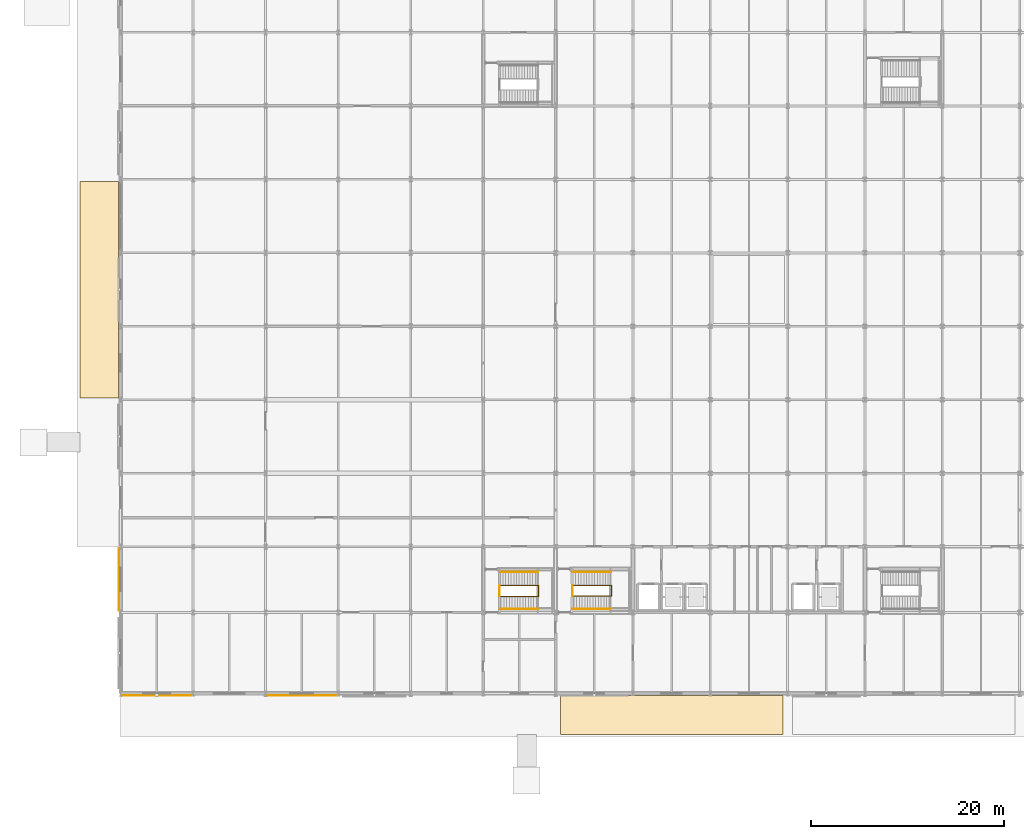
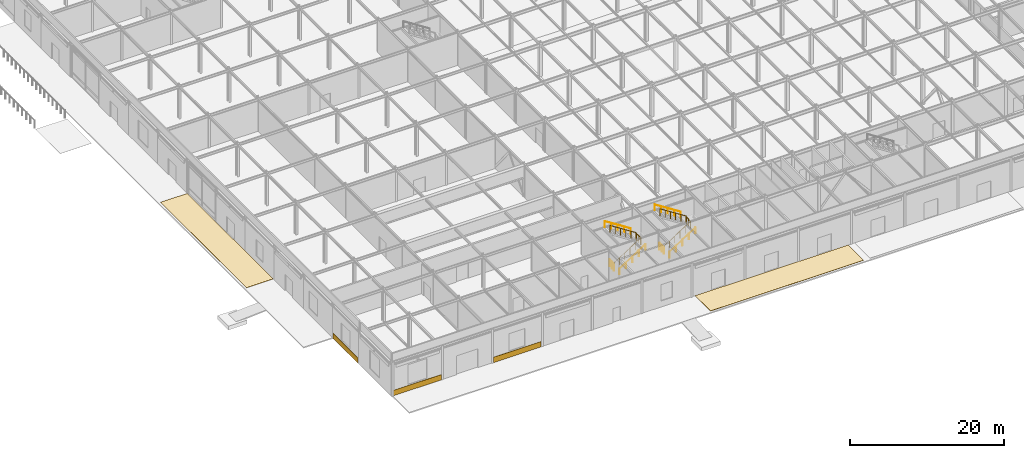
# One storey, part 82 of 89: 8 railings, 5 coverings.
"""IFC4 building model written with IfcOpenShell, lengths in metres."""

from ifc_helpers import new_model, si_unit, direction, frame, origin, origin_2d, place, context, subcontext, project, spatial, polyline, rectangle, circle, outline, extrude, material, layer, layer_set, type_object, element, save


model = new_model("IFC4")

# Units and contexts
model_context = context("Model", 3, precision=1e-05, world=origin(), true_north=direction((0.0, 1.0)))
body_context = subcontext(model_context, "Body", "Model", "MODEL_VIEW")
ifc_project = project(units=[si_unit("LENGTHUNIT", "METRE"), si_unit("AREAUNIT", "SQUARE_METRE"), si_unit("VOLUMEUNIT", "CUBIC_METRE"), si_unit("PLANEANGLEUNIT", "RADIAN"), si_unit("MASSUNIT", "GRAM", prefix="KILO")], contexts=[model_context])

# Site, building, storey
site_placement = place(None, origin())
site = spatial("IfcSite", under=ifc_project, at=site_placement, CompositionType="ELEMENT")
building_placement = place(site_placement, origin())
building = spatial("IfcBuilding", under=site, at=building_placement, Name="Shalkamar Park Central Library", CompositionType="ELEMENT")
storey_placement = place(building_placement, origin())
storey = spatial("IfcBuildingStorey", under=building, at=storey_placement, Name="L01", CompositionType="ELEMENT", Elevation=0.0)

# Coverings
ifc_material_1 = material(Name="Flamed grey granite paving", Category="masonry")
ifc_layer_1 = layer(ifc_material_1, 0.0400390625)
ifc_layer_set_1 = layer_set([ifc_layer_1], Name="FlamedGranitePlazaPaving")
covering_type_1 = type_object("IfcCoveringType", Name="Flamed Granite Plaza Paving", PredefinedType="FLOORING", material=ifc_layer_set_1)
covering_1_placement = place(storey_placement, origin())
element("IfcCovering", 1, at=covering_1_placement, inside=storey, type_object=covering_type_1, Name="Flamed Granite Plaza Paving PAV-S1", PredefinedType="FLOORING", context=body_context, shape_type="SweptSolid", body=[
    extrude(outline(polyline([(165.5, 235.800048828125), (188.5, 235.800048828125), (188.5, 239.800048828125), (165.5, 239.800048828125), (165.5, 235.800048828125)])), origin(), (0.0, 0.0, 1.0), 0.030029296875),
])
covering_2_placement = place(storey_placement, origin())
element("IfcCovering", 2, at=covering_2_placement, inside=storey, type_object=covering_type_1, Name="Flamed Granite Plaza Paving PAV-W1", PredefinedType="FLOORING", context=body_context, shape_type="SweptSolid", body=[
    extrude(outline(polyline([(115.800048828125, 270.60009765625), (119.800048828125, 270.60009765625), (119.800048828125, 293.0), (115.800048828125, 293.0), (115.800048828125, 270.60009765625)])), origin(), (0.0, 0.0, 1.0), 0.030029296875),
])
ifc_material_2 = material(Name="Granite and travertine stone cladding", Category="masonry")
ifc_layer_2 = layer(ifc_material_2, 0.0400390625)
ifc_layer_set_2 = layer_set([ifc_layer_2], Name="GraniteTravertineCladdingPanel")
covering_type_2 = type_object("IfcCoveringType", Name="Granite Travertine Cladding Panel", PredefinedType="CLADDING", material=ifc_layer_set_2)
for number, where, z_axis, x_axis, name in (
    (3, (123.75, 239.823974609375, 0.0), (0.0, 0.0, 1.0), (1.0, 0.0, 0.0), "Granite and Travertine Cladding Panel L01-001"),
    (4, (138.75, 239.823974609375, 0.0), (0.0, 0.0, 1.0), (1.0, 0.0, 0.0), "Granite and Travertine Cladding Panel L01-002"),
):
    element("IfcCovering", number, at=place(storey_placement, frame(where, z_axis=z_axis, x_axis=x_axis)), inside=storey, type_object=covering_type_2, Name=name, PredefinedType="CLADDING", context=body_context, shape_type="SweptSolid", body=[
        extrude(rectangle(XDim=7.18798828125, YDim=0.0400390625, at=origin_2d()), origin(), (0.0, 0.0, 1.0), 0.85009765625),
    ])
covering_3_placement = place(storey_placement, frame((119.823974609375, 251.800048828125, 0.0), z_axis=(0.0, 0.0, 1.0), x_axis=(1.0, 0.0, 0.0)))
element("IfcCovering", 5, at=covering_3_placement, inside=storey, type_object=covering_type_2, Name="Granite and Travertine Cladding Panel L01-004", PredefinedType="CLADDING", context=body_context, shape_type="SweptSolid", body=[
    extrude(rectangle(XDim=0.0400390625, YDim=6.488037109375, at=origin_2d()), origin(), (0.0, 0.0, 1.0), 0.85009765625),
])

# Railings
ifc_material_3 = material(Name="Steel S355", Category="steel")
railing_type_1 = type_object("IfcRailingType", Name="Stair Guardrail 1100", PredefinedType="GUARDRAIL", material=ifc_material_3)
railing_1_placement = place(storey_placement, frame((166.800048828125, 250.090087890625, 0.179931640625)))
element("IfcRailing", 6, at=railing_1_placement, inside=storey, type_object=railing_type_1, Name="Stair Inner Well Guardrail ST-T1-L01", PredefinedType="GUARDRAIL", context=body_context, shape_type="SweptSolid", body=[
    extrude(circle(Radius=0.02392578125, at=origin_2d()), frame((0.0, 0.0, 1.076171875), z_axis=(0.841171666519, 0.0, 0.540768182723), x_axis=(0.0, 1.0, 0.0)), (0.0, 0.0, 1.0), 4.66015625),
    extrude(circle(Radius=0.02392578125, at=origin_2d()), frame((3.919921875, 0.0, 3.59619140625), z_axis=(1.0, 0.0, 0.0), x_axis=(0.0, 1.0, 0.0)), (0.0, 0.0, 1.0), 0.06005859375),
    extrude(circle(Radius=0.02392578125, at=origin_2d()), frame((3.97998046875, 0.0, 3.59619140625), z_axis=(0.0, 1.0, 0.0), x_axis=(-1.0, 0.0, 0.0)), (0.0, 0.0, 1.0), 1.119873046875),
    extrude(circle(Radius=0.02392578125, at=origin_2d()), frame((3.97998046875, 1.119873046875, 3.59619140625), z_axis=(-0.316613854282, 0.0, 0.948554514657), x_axis=(0.0, -1.0, 0.0)), (0.0, 0.0, 1.0), 0.189697265625),
    extrude(circle(Radius=0.02392578125, at=origin_2d()), frame((3.919921875, 1.119873046875, 3.77587890625), z_axis=(-0.841171666519, 0.0, 0.540768182723), x_axis=(0.0, -1.0, 0.0)), (0.0, 0.0, 1.0), 4.66015625),
    extrude(circle(Radius=0.02099609375, at=origin_2d()), origin(), (0.0, 0.0, 1.0), 1.052001953125),
    extrude(circle(Radius=0.02099609375, at=origin_2d()), frame((0.783935546875, 0.0, 0.50390625)), (0.0, 0.0, 1.0), 1.052001953125),
    extrude(circle(Radius=0.02099609375, at=origin_2d()), frame((1.56787109375, 0.0, 1.008056640625)), (0.0, 0.0, 1.0), 1.052001953125),
    extrude(circle(Radius=0.02099609375, at=origin_2d()), frame((2.35205078125, 0.0, 1.511962890625)), (0.0, 0.0, 1.0), 1.052001953125),
    extrude(circle(Radius=0.02099609375, at=origin_2d()), frame((3.135986328125, 0.0, 2.01611328125)), (0.0, 0.0, 1.0), 1.052001953125),
    extrude(circle(Radius=0.02099609375, at=origin_2d()), frame((3.919921875, 0.0, 2.52001953125)), (0.0, 0.0, 1.0), 1.052001953125),
    extrude(circle(Radius=0.02099609375, at=origin_2d()), frame((3.97998046875, 0.0, 2.52001953125)), (0.0, 0.0, 1.0), 1.052001953125),
    extrude(circle(Radius=0.02099609375, at=origin_2d()), frame((3.97998046875, 0.56005859375, 2.52001953125)), (0.0, 0.0, 1.0), 1.052001953125),
    extrude(circle(Radius=0.02099609375, at=origin_2d()), frame((3.97998046875, 1.119873046875, 2.52001953125)), (0.0, 0.0, 1.0), 1.052001953125),
    extrude(circle(Radius=0.02099609375, at=origin_2d()), frame((3.919921875, 1.119873046875, 2.699951171875)), (0.0, 0.0, 1.0), 1.052001953125),
    extrude(circle(Radius=0.02099609375, at=origin_2d()), frame((3.135986328125, 1.119873046875, 3.203857421875)), (0.0, 0.0, 1.0), 1.052001953125),
    extrude(circle(Radius=0.02099609375, at=origin_2d()), frame((2.35205078125, 1.119873046875, 3.7080078125)), (0.0, 0.0, 1.0), 1.052001953125),
    extrude(circle(Radius=0.02099609375, at=origin_2d()), frame((1.56787109375, 1.119873046875, 4.2119140625)), (0.0, 0.0, 1.0), 1.052001953125),
    extrude(circle(Radius=0.02099609375, at=origin_2d()), frame((0.783935546875, 1.119873046875, 4.716064453125)), (0.0, 0.0, 1.0), 1.052001953125),
    extrude(circle(Radius=0.02099609375, at=origin_2d()), frame((0.0, 1.119873046875, 5.219970703125)), (0.0, 0.0, 1.0), 1.052001953125),
])
railing_2_placement = place(storey_placement, frame((166.739990234375, 250.10009765625, 0.0)))
element("IfcRailing", 7, at=railing_2_placement, inside=storey, type_object=railing_type_1, Name="Stair Arrival Well Guardrail ST-T1 (L01)", PredefinedType="GUARDRAIL", context=body_context, shape_type="SweptSolid", body=[
    extrude(circle(Radius=0.02392578125, at=origin_2d()), frame((0.0, 0.0, 1.076171875), z_axis=(0.0, 1.0, 0.0), x_axis=(-1.0, 0.0, 0.0)), (0.0, 0.0, 1.0), 1.099853515625),
    extrude(circle(Radius=0.02099609375, at=origin_2d()), origin(), (0.0, 0.0, 1.0), 1.052001953125),
    extrude(circle(Radius=0.02099609375, at=origin_2d()), frame((0.0, 0.5498046875, 0.0)), (0.0, 0.0, 1.0), 1.052001953125),
    extrude(circle(Radius=0.02099609375, at=origin_2d()), frame((0.0, 1.099853515625, 0.0)), (0.0, 0.0, 1.0), 1.052001953125),
])
railing_3_placement = place(storey_placement, frame((159.27490234375, 250.06494140625, 0.179931640625)))
element("IfcRailing", 8, at=railing_3_placement, inside=storey, type_object=railing_type_1, Name="Stair Inner Well Guardrail ST-P1-L01", PredefinedType="GUARDRAIL", context=body_context, shape_type="SweptSolid", body=[
    extrude(circle(Radius=0.02392578125, at=origin_2d()), frame((0.0, 0.0, 1.076171875), z_axis=(0.841186985886, 0.0, 0.540744352514), x_axis=(0.0, 1.0, 0.0)), (0.0, 0.0, 1.0), 4.660400390625),
    extrude(circle(Radius=0.02392578125, at=origin_2d()), frame((3.920166015625, 0.0, 3.59619140625), z_axis=(1.0, 0.0, 0.0), x_axis=(0.0, 1.0, 0.0)), (0.0, 0.0, 1.0), 0.059814453125),
    extrude(circle(Radius=0.02392578125, at=origin_2d()), frame((3.97998046875, 0.0, 3.59619140625), z_axis=(0.0, 1.0, 0.0), x_axis=(-1.0, 0.0, 0.0)), (0.0, 0.0, 1.0), 1.1201171875),
    extrude(circle(Radius=0.02392578125, at=origin_2d()), frame((3.97998046875, 1.1201171875, 3.59619140625), z_axis=(-0.31545511802, 0.0, 0.948940497879), x_axis=(0.0, -1.0, 0.0)), (0.0, 0.0, 1.0), 0.189697265625),
    extrude(circle(Radius=0.02392578125, at=origin_2d()), frame((3.920166015625, 1.1201171875, 3.77587890625), z_axis=(-0.841186985886, 0.0, 0.540744352514), x_axis=(0.0, -1.0, 0.0)), (0.0, 0.0, 1.0), 4.660400390625),
    extrude(circle(Radius=0.02099609375, at=origin_2d()), origin(), (0.0, 0.0, 1.0), 1.052001953125),
    extrude(circle(Radius=0.02099609375, at=origin_2d()), frame((0.783935546875, 0.0, 0.50390625)), (0.0, 0.0, 1.0), 1.052001953125),
    extrude(circle(Radius=0.02099609375, at=origin_2d()), frame((1.568115234375, 0.0, 1.008056640625)), (0.0, 0.0, 1.0), 1.052001953125),
    extrude(circle(Radius=0.02099609375, at=origin_2d()), frame((2.35205078125, 0.0, 1.511962890625)), (0.0, 0.0, 1.0), 1.052001953125),
    extrude(circle(Radius=0.02099609375, at=origin_2d()), frame((3.13623046875, 0.0, 2.01611328125)), (0.0, 0.0, 1.0), 1.052001953125),
    extrude(circle(Radius=0.02099609375, at=origin_2d()), frame((3.920166015625, 0.0, 2.52001953125)), (0.0, 0.0, 1.0), 1.052001953125),
    extrude(circle(Radius=0.02099609375, at=origin_2d()), frame((3.97998046875, 0.0, 2.52001953125)), (0.0, 0.0, 1.0), 1.052001953125),
    extrude(circle(Radius=0.02099609375, at=origin_2d()), frame((3.97998046875, 0.56005859375, 2.52001953125)), (0.0, 0.0, 1.0), 1.052001953125),
    extrude(circle(Radius=0.02099609375, at=origin_2d()), frame((3.97998046875, 1.1201171875, 2.52001953125)), (0.0, 0.0, 1.0), 1.052001953125),
    extrude(circle(Radius=0.02099609375, at=origin_2d()), frame((3.920166015625, 1.1201171875, 2.699951171875)), (0.0, 0.0, 1.0), 1.052001953125),
    extrude(circle(Radius=0.02099609375, at=origin_2d()), frame((3.13623046875, 1.1201171875, 3.203857421875)), (0.0, 0.0, 1.0), 1.052001953125),
    extrude(circle(Radius=0.02099609375, at=origin_2d()), frame((2.35205078125, 1.1201171875, 3.7080078125)), (0.0, 0.0, 1.0), 1.052001953125),
    extrude(circle(Radius=0.02099609375, at=origin_2d()), frame((1.568115234375, 1.1201171875, 4.2119140625)), (0.0, 0.0, 1.0), 1.052001953125),
    extrude(circle(Radius=0.02099609375, at=origin_2d()), frame((0.783935546875, 1.1201171875, 4.716064453125)), (0.0, 0.0, 1.0), 1.052001953125),
    extrude(circle(Radius=0.02099609375, at=origin_2d()), frame((0.0, 1.1201171875, 5.219970703125)), (0.0, 0.0, 1.0), 1.052001953125),
])
railing_4_placement = place(storey_placement, frame((159.215087890625, 250.074951171875, 0.0)))
element("IfcRailing", 9, at=railing_4_placement, inside=storey, type_object=railing_type_1, Name="Stair Arrival Well Guardrail ST-P1 (L01)", PredefinedType="GUARDRAIL", context=body_context, shape_type="SweptSolid", body=[
    extrude(circle(Radius=0.02392578125, at=origin_2d()), frame((0.0, 0.0, 1.076171875), z_axis=(0.0, 1.0, 0.0), x_axis=(-1.0, 0.0, 0.0)), (0.0, 0.0, 1.0), 1.10009765625),
    extrude(circle(Radius=0.02099609375, at=origin_2d()), origin(), (0.0, 0.0, 1.0), 1.052001953125),
    extrude(circle(Radius=0.02099609375, at=origin_2d()), frame((0.0, 0.550048828125, 0.0)), (0.0, 0.0, 1.0), 1.052001953125),
    extrude(circle(Radius=0.02099609375, at=origin_2d()), frame((0.0, 1.10009765625, 0.0)), (0.0, 0.0, 1.0), 1.052001953125),
])
railing_type_2 = type_object("IfcRailingType", Name="Stair Pitched Handrail 920", PredefinedType="HANDRAIL", material=ifc_material_3)
railing_5_placement = place(storey_placement, frame((166.800048828125, 248.780029296875, 0.179931640625)))
element("IfcRailing", 10, at=railing_5_placement, inside=storey, type_object=railing_type_2, Name="Stair Wall Handrail ST-T1-L01 Flight 1", PredefinedType="HANDRAIL", context=body_context, shape_type="SweptSolid", body=[
    extrude(circle(Radius=0.02392578125, at=origin_2d()), frame((0.0, 0.0, 0.89599609375), z_axis=(0.841171666519, 0.0, 0.540768182723), x_axis=(0.0, 1.0, 0.0)), (0.0, 0.0, 1.0), 4.66015625),
    extrude(circle(Radius=0.02099609375, at=origin_2d()), origin(), (0.0, 0.0, 1.0), 0.871826171875),
    extrude(circle(Radius=0.02099609375, at=origin_2d()), frame((0.97998046875, 0.0, 0.6298828125)), (0.0, 0.0, 1.0), 0.871826171875),
    extrude(circle(Radius=0.02099609375, at=origin_2d()), frame((1.9599609375, 0.0, 1.260009765625)), (0.0, 0.0, 1.0), 0.871826171875),
    extrude(circle(Radius=0.02099609375, at=origin_2d()), frame((2.93994140625, 0.0, 1.89013671875)), (0.0, 0.0, 1.0), 0.871826171875),
    extrude(circle(Radius=0.02099609375, at=origin_2d()), frame((3.919921875, 0.0, 2.52001953125)), (0.0, 0.0, 1.0), 0.871826171875),
])
railing_6_placement = place(storey_placement, frame((170.719970703125, 252.60009765625, 2.8798828125)))
element("IfcRailing", 11, at=railing_6_placement, inside=storey, type_object=railing_type_2, Name="Stair Wall Handrail ST-T1-L01 Flight 2", PredefinedType="HANDRAIL", context=body_context, shape_type="SweptSolid", body=[
    extrude(circle(Radius=0.02392578125, at=origin_2d()), frame((0.0, 0.0, 0.89599609375), z_axis=(-0.841171666519, 0.0, 0.540768182723), x_axis=(0.0, -1.0, 0.0)), (0.0, 0.0, 1.0), 4.66015625),
    extrude(circle(Radius=0.02099609375, at=origin_2d()), origin(), (0.0, 0.0, 1.0), 0.871826171875),
    extrude(circle(Radius=0.02099609375, at=origin_2d()), frame((-0.97998046875, 0.0, 0.6298828125)), (0.0, 0.0, 1.0), 0.871826171875),
    extrude(circle(Radius=0.02099609375, at=origin_2d()), frame((-1.9599609375, 0.0, 1.260009765625)), (0.0, 0.0, 1.0), 0.871826171875),
    extrude(circle(Radius=0.02099609375, at=origin_2d()), frame((-2.93994140625, 0.0, 1.89013671875)), (0.0, 0.0, 1.0), 0.871826171875),
    extrude(circle(Radius=0.02099609375, at=origin_2d()), frame((-3.919921875, 0.0, 2.52001953125)), (0.0, 0.0, 1.0), 0.871826171875),
])
railing_7_placement = place(storey_placement, frame((159.27490234375, 248.7548828125, 0.179931640625)))
element("IfcRailing", 12, at=railing_7_placement, inside=storey, type_object=railing_type_2, Name="Stair Wall Handrail ST-P1-L01 Flight 1", PredefinedType="HANDRAIL", context=body_context, shape_type="SweptSolid", body=[
    extrude(circle(Radius=0.02392578125, at=origin_2d()), frame((0.0, 0.0, 0.89599609375), z_axis=(0.841186985886, 0.0, 0.540744352514), x_axis=(0.0, 1.0, 0.0)), (0.0, 0.0, 1.0), 4.660400390625),
    extrude(circle(Radius=0.02099609375, at=origin_2d()), origin(), (0.0, 0.0, 1.0), 0.871826171875),
    extrude(circle(Radius=0.02099609375, at=origin_2d()), frame((0.97998046875, 0.0, 0.6298828125)), (0.0, 0.0, 1.0), 0.871826171875),
    extrude(circle(Radius=0.02099609375, at=origin_2d()), frame((1.9599609375, 0.0, 1.260009765625)), (0.0, 0.0, 1.0), 0.871826171875),
    extrude(circle(Radius=0.02099609375, at=origin_2d()), frame((2.940185546875, 0.0, 1.89013671875)), (0.0, 0.0, 1.0), 0.871826171875),
    extrude(circle(Radius=0.02099609375, at=origin_2d()), frame((3.920166015625, 0.0, 2.52001953125)), (0.0, 0.0, 1.0), 0.871826171875),
])
railing_8_placement = place(storey_placement, frame((163.195068359375, 252.574951171875, 2.8798828125)))
element("IfcRailing", 13, at=railing_8_placement, inside=storey, type_object=railing_type_2, Name="Stair Wall Handrail ST-P1-L01 Flight 2", PredefinedType="HANDRAIL", context=body_context, shape_type="SweptSolid", body=[
    extrude(circle(Radius=0.02392578125, at=origin_2d()), frame((0.0, 0.0, 0.89599609375), z_axis=(-0.841186985886, 0.0, 0.540744352514), x_axis=(0.0, -1.0, 0.0)), (0.0, 0.0, 1.0), 4.660400390625),
    extrude(circle(Radius=0.02099609375, at=origin_2d()), origin(), (0.0, 0.0, 1.0), 0.871826171875),
    extrude(circle(Radius=0.02099609375, at=origin_2d()), frame((-0.97998046875, 0.0, 0.6298828125)), (0.0, 0.0, 1.0), 0.871826171875),
    extrude(circle(Radius=0.02099609375, at=origin_2d()), frame((-1.9599609375, 0.0, 1.260009765625)), (0.0, 0.0, 1.0), 0.871826171875),
    extrude(circle(Radius=0.02099609375, at=origin_2d()), frame((-2.940185546875, 0.0, 1.89013671875)), (0.0, 0.0, 1.0), 0.871826171875),
    extrude(circle(Radius=0.02099609375, at=origin_2d()), frame((-3.920166015625, 0.0, 2.52001953125)), (0.0, 0.0, 1.0), 0.871826171875),
])

save(model, "model.ifc")
